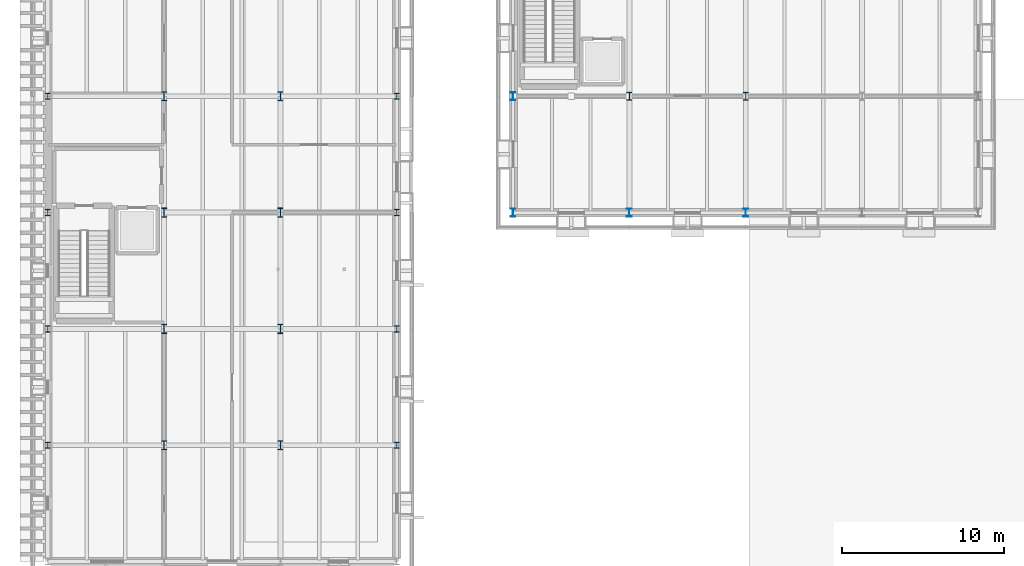
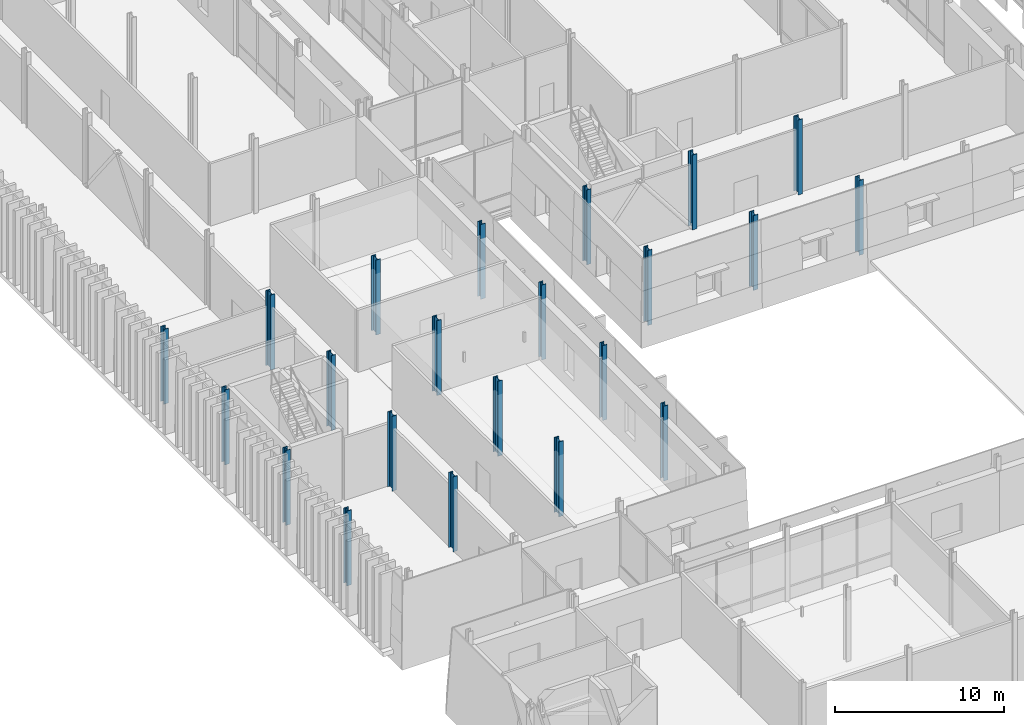
# One storey, part 3 of 120: 22 columns.
"""IFC4 building model written with IfcOpenShell, lengths in metres."""

from ifc_helpers import new_model, si_unit, direction, frame, origin, origin_2d, place, context, subcontext, project, spatial, i_section, extrude, material, material_profile, profile_set, type_object, element, save


model = new_model("IFC4")

# Units and contexts
model_context = context("Model", 3, precision=1e-05, world=origin(), true_north=direction((0.0, 1.0)))
body_context = subcontext(model_context, "Body", "Model", "MODEL_VIEW")
ifc_project = project(units=[si_unit("LENGTHUNIT", "METRE"), si_unit("AREAUNIT", "SQUARE_METRE"), si_unit("VOLUMEUNIT", "CUBIC_METRE"), si_unit("PLANEANGLEUNIT", "RADIAN"), si_unit("MASSUNIT", "GRAM", prefix="KILO")], contexts=[model_context])

# Site, building, storey
site_placement = place(None, origin())
site = spatial("IfcSite", under=ifc_project, at=site_placement, CompositionType="ELEMENT")
building_placement = place(site_placement, origin())
building = spatial("IfcBuilding", under=site, at=building_placement, Name="Narikvali Park Central Library", CompositionType="ELEMENT")
storey_placement = place(building_placement, origin())
storey = spatial("IfcBuildingStorey", under=building, at=storey_placement, Name="L00", CompositionType="ELEMENT", Elevation=0.0)

# Columns
ifc_material = material(Name="Steel S355", Category="steel")
ifc_material_profile_1 = material_profile(ifc_material, i_section(OverallWidth=0.305908203125, OverallDepth=0.52392578125, WebThickness=0.02099609375, FlangeThickness=0.0400390625, FilletRadius=0.027099609375, at=origin_2d()), Name="HEM 500")
ifc_profile_set_1 = profile_set([ifc_material_profile_1], Name="Steel S355")
column_type_1 = type_object("IfcColumnType", Name="Heavy Stack Column HEM500", PredefinedType="COLUMN", material=ifc_profile_set_1)
for number, where, z_axis, x_axis, name in (
    (1, (36.0, 57.60009765625, 0.0), (0.0, 0.0, 1.0), (1.0, 0.0, 0.0), "V4 L00 Column (36.0,57.6)"),
    (2, (43.199951171875, 57.60009765625, 0.0), (0.0, 0.0, 1.0), (1.0, 0.0, 0.0), "V4 L00 Column (43.2,57.6)"),
):
    element("IfcColumn", number, at=place(storey_placement, frame(where, z_axis=z_axis, x_axis=x_axis)), inside=storey, type_object=column_type_1, Name=name, PredefinedType="COLUMN", context=body_context, shape_type="SweptSolid", body=[
        extrude(i_section(OverallWidth=0.305908203125, OverallDepth=0.52392578125, WebThickness=0.02099609375, FlangeThickness=0.0400390625, FilletRadius=0.027099609375, at=origin_2d()), origin(), (0.0, 0.0, 1.0), 5.39990234375),
    ])
ifc_material_profile_2 = material_profile(ifc_material, i_section(OverallWidth=0.305908203125, OverallDepth=0.572021484375, WebThickness=0.02099609375, FlangeThickness=0.0400390625, FilletRadius=0.027099609375, at=origin_2d()), Name="HEM 550")
ifc_profile_set_2 = profile_set([ifc_material_profile_2], Name="Steel S355")
column_type_2 = type_object("IfcColumnType", Name="Heavy Stack Column HEM550", PredefinedType="COLUMN", material=ifc_profile_set_2)
for number, where, z_axis, x_axis, name in (
    (3, (7.199951171875, 36.0, 0.0), (0.0, 0.0, 1.0), (1.0, 0.0, 0.0), "V5 L00 Column (7.2,36.0)"),
    (4, (7.199951171875, 43.199951171875, 0.0), (0.0, 0.0, 1.0), (1.0, 0.0, 0.0), "V5 L00 Column (7.2,43.2)"),
    (5, (7.199951171875, 50.39990234375, 0.0), (0.0, 0.0, 1.0), (1.0, 0.0, 0.0), "V5 L00 Column (7.2,50.4)"),
    (6, (7.199951171875, 57.60009765625, 0.0), (0.0, 0.0, 1.0), (1.0, 0.0, 0.0), "V5 L00 Column (7.2,57.6)"),
    (7, (14.39990234375, 36.0, 0.0), (0.0, 0.0, 1.0), (1.0, 0.0, 0.0), "V5 L00 Column (14.4,36.0)"),
    (8, (14.39990234375, 43.199951171875, 0.0), (0.0, 0.0, 1.0), (1.0, 0.0, 0.0), "V5 L00 Column (14.4,43.2)"),
    (9, (14.39990234375, 50.39990234375, 0.0), (0.0, 0.0, 1.0), (1.0, 0.0, 0.0), "V5 L00 Column (14.4,50.4)"),
    (10, (14.39990234375, 57.60009765625, 0.0), (0.0, 0.0, 1.0), (1.0, 0.0, 0.0), "V5 L00 Column (14.4,57.6)"),
):
    element("IfcColumn", number, at=place(storey_placement, frame(where, z_axis=z_axis, x_axis=x_axis)), inside=storey, type_object=column_type_2, Name=name, PredefinedType="COLUMN", context=body_context, shape_type="SweptSolid", body=[
        extrude(i_section(OverallWidth=0.305908203125, OverallDepth=0.572021484375, WebThickness=0.02099609375, FlangeThickness=0.0400390625, FilletRadius=0.027099609375, at=origin_2d()), origin(), (0.0, 0.0, 1.0), 5.39990234375),
    ])
ifc_material_profile_3 = material_profile(ifc_material, i_section(OverallWidth=0.300048828125, OverallDepth=0.5, WebThickness=0.014404296875, FlangeThickness=0.028076171875, FilletRadius=0.027099609375, at=origin_2d()), Name="HEB 500")
ifc_profile_set_3 = profile_set([ifc_material_profile_3], Name="Steel S355")
column_type_3 = type_object("IfcColumnType", Name="Steel Column HEB500", PredefinedType="COLUMN", material=ifc_profile_set_3)
for number, where, z_axis, x_axis, name in (
    (11, (28.800048828125, 50.39990234375, 0.0), (0.0, 0.0, 1.0), (1.0, 0.0, 0.0), "V4 L00 Column (28.8,50.4)"),
    (12, (28.800048828125, 57.60009765625, 0.0), (0.0, 0.0, 1.0), (1.0, 0.0, 0.0), "V4 L00 Column (28.8,57.6)"),
    (13, (36.0, 50.39990234375, 0.0), (0.0, 0.0, 1.0), (1.0, 0.0, 0.0), "V4 L00 Column (36.0,50.4)"),
    (14, (43.199951171875, 50.39990234375, 0.0), (0.0, 0.0, 1.0), (1.0, 0.0, 0.0), "V4 L00 Column (43.2,50.4)"),
):
    element("IfcColumn", number, at=place(storey_placement, frame(where, z_axis=z_axis, x_axis=x_axis)), inside=storey, type_object=column_type_3, Name=name, PredefinedType="COLUMN", context=body_context, shape_type="SweptSolid", body=[
        extrude(i_section(OverallWidth=0.300048828125, OverallDepth=0.5, WebThickness=0.014404296875, FlangeThickness=0.028076171875, FilletRadius=0.027099609375, at=origin_2d()), origin(), (0.0, 0.0, 1.0), 5.39990234375),
    ])
ifc_material_profile_4 = material_profile(ifc_material, i_section(OverallWidth=0.30810546875, OverallDepth=0.39501953125, WebThickness=0.02099609375, FlangeThickness=0.035888671875, FilletRadius=0.027099609375, at=origin_2d()), Name="HEM 360")
ifc_profile_set_4 = profile_set([ifc_material_profile_4], Name="Steel S355")
column_type_4 = type_object("IfcColumnType", Name="Steel Column HEM360", PredefinedType="COLUMN", material=ifc_profile_set_4)
for number, where, z_axis, x_axis, name in (
    (15, (0.0, 36.0, 0.0), (0.0, 0.0, 1.0), (1.0, 0.0, 0.0), "V5 L00 Column (0.0,36.0)"),
    (16, (0.0, 43.199951171875, 0.0), (0.0, 0.0, 1.0), (1.0, 0.0, 0.0), "V5 L00 Column (0.0,43.2)"),
    (17, (0.0, 50.39990234375, 0.0), (0.0, 0.0, 1.0), (1.0, 0.0, 0.0), "V5 L00 Column (0.0,50.4)"),
    (18, (0.0, 57.60009765625, 0.0), (0.0, 0.0, 1.0), (1.0, 0.0, 0.0), "V5 L00 Column (0.0,57.6)"),
    (19, (21.60009765625, 36.0, 0.0), (0.0, 0.0, 1.0), (1.0, 0.0, 0.0), "V5 L00 Column (21.6,36.0)"),
    (20, (21.60009765625, 43.199951171875, 0.0), (0.0, 0.0, 1.0), (1.0, 0.0, 0.0), "V5 L00 Column (21.6,43.2)"),
    (21, (21.60009765625, 50.39990234375, 0.0), (0.0, 0.0, 1.0), (1.0, 0.0, 0.0), "V5 L00 Column (21.6,50.4)"),
    (22, (21.60009765625, 57.60009765625, 0.0), (0.0, 0.0, 1.0), (1.0, 0.0, 0.0), "V5 L00 Column (21.6,57.6)"),
):
    element("IfcColumn", number, at=place(storey_placement, frame(where, z_axis=z_axis, x_axis=x_axis)), inside=storey, type_object=column_type_4, Name=name, PredefinedType="COLUMN", context=body_context, shape_type="SweptSolid", body=[
        extrude(i_section(OverallWidth=0.30810546875, OverallDepth=0.39501953125, WebThickness=0.02099609375, FlangeThickness=0.035888671875, FilletRadius=0.027099609375, at=origin_2d()), origin(), (0.0, 0.0, 1.0), 5.39990234375),
    ])

save(model, "model.ifc")
